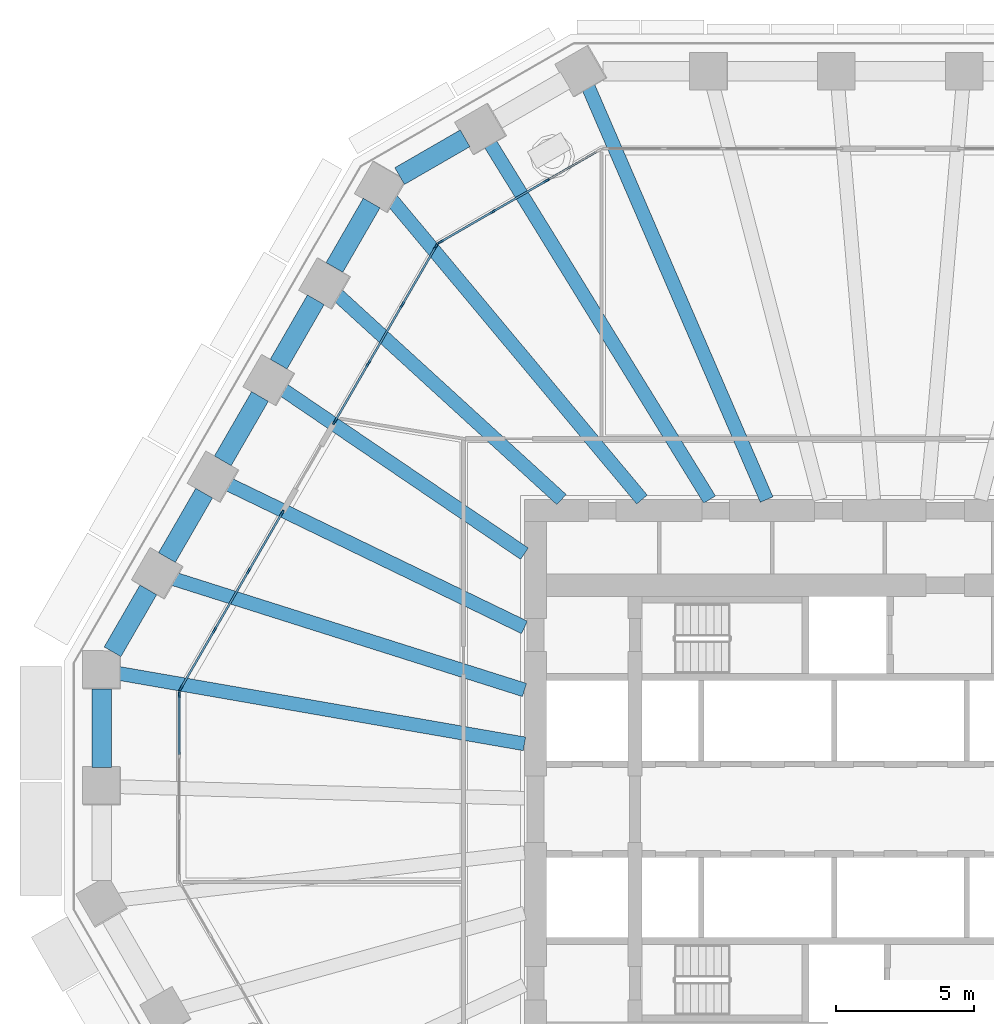
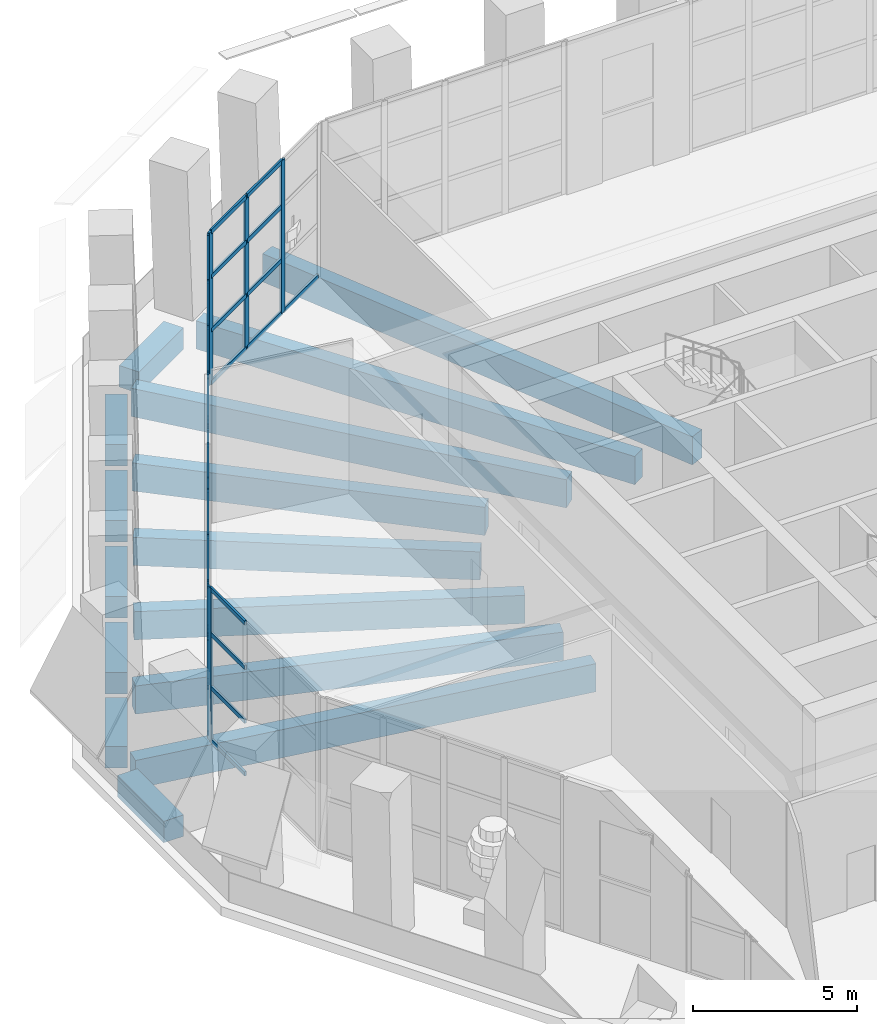
# One storey, part 6 of 22: 49 members, 15 beams, 4 elements without a shape of their own.
"""IFC4 building model written with IfcOpenShell, lengths in metres."""

from ifc_helpers import new_model, si_unit, direction, frame, origin, origin_2d, place, context, subcontext, project, spatial, rectangle, extrude, material, material_profile, profile_set, type_object, element, aggregate, save


model = new_model("IFC4")

# Units and contexts
model_context = context("Model", 3, precision=1e-05, world=origin(), true_north=direction((0.0, 1.0)))
body_context = subcontext(model_context, "Body", "Model", "MODEL_VIEW")
ifc_project = project(units=[si_unit("LENGTHUNIT", "METRE"), si_unit("AREAUNIT", "SQUARE_METRE"), si_unit("VOLUMEUNIT", "CUBIC_METRE"), si_unit("PLANEANGLEUNIT", "RADIAN"), si_unit("MASSUNIT", "GRAM", prefix="KILO")], contexts=[model_context])

# Site, building, storey
site_placement = place(None, origin())
site = spatial("IfcSite", under=ifc_project, at=site_placement, CompositionType="ELEMENT")
building_placement = place(site_placement, origin())
building = spatial("IfcBuilding", under=site, at=building_placement, Name="Frailejon Research Tower", CompositionType="ELEMENT")
storey_placement = place(building_placement, frame((0.0, 0.0, 107.199951171875)))
storey = spatial("IfcBuildingStorey", under=building, at=storey_placement, Name="L23", CompositionType="ELEMENT", Elevation=107.199951171875)

# Beams
ifc_material_1 = material(Name="Concrete C60/75", Category="concrete")
ifc_material_profile_1 = material_profile(ifc_material_1, rectangle(XDim=0.5, YDim=1.050048828125, at=origin_2d()), Name="Girder 500x1050")
ifc_profile_set_1 = profile_set([ifc_material_profile_1], Name="Concrete C60/75")
beam_type_1 = type_object("IfcBeamType", Name="Girder 500x1050", PredefinedType="BEAM", material=ifc_profile_set_1)
beam_1_placement = place(storey_placement, frame((-11.327880859375, 26.2138671875, -0.824951171875), z_axis=(0.396681044263, -0.917956507207, 0.0), x_axis=(0.917956507207, 0.396681044263, 0.0)))
element("IfcBeam", 1, at=beam_1_placement, inside=storey, type_object=beam_type_1, Name="Girder 500x1050", PredefinedType="BEAM", context=body_context, shape_type="SweptSolid", body=[
    extrude(rectangle(XDim=0.5, YDim=1.050048828125, at=origin_2d()), origin(), (0.0, 0.0, 1.0), 16.355712890625),
])
beam_2_placement = place(storey_placement, frame((-14.888916015625, 24.158935546875, -0.824951171875), z_axis=(0.524660165256, -0.851311758989, 0.0), x_axis=(0.851311758989, 0.524660165256, 0.0)))
element("IfcBeam", 2, at=beam_2_placement, inside=storey, type_object=beam_type_1, Name="Girder 500x1050", PredefinedType="BEAM", context=body_context, shape_type="SweptSolid", body=[
    extrude(rectangle(XDim=0.5, YDim=1.050048828125, at=origin_2d()), origin(), (0.0, 0.0, 1.0), 15.222412109375),
])
beam_3_placement = place(storey_placement, frame((-18.42626953125, 22.07568359375, -0.824951171875), z_axis=(0.640799521051, -0.767708260879, 0.0), x_axis=(0.767708260879, 0.640799521051, 0.0)))
element("IfcBeam", 3, at=beam_3_placement, inside=storey, type_object=beam_type_1, Name="Girder 500x1050", PredefinedType="BEAM", context=body_context, shape_type="SweptSolid", body=[
    extrude(rectangle(XDim=0.5, YDim=1.050048828125, at=origin_2d()), origin(), (0.0, 0.0, 1.0), 14.16650390625),
])
beam_4_placement = place(storey_placement, frame((-20.41162109375, 18.6484375, -0.824951171875), z_axis=(0.738268154385, -0.674507325551, 0.0), x_axis=(0.674507325551, 0.738268154385, 0.0)))
element("IfcBeam", 4, at=beam_4_placement, inside=storey, type_object=beam_type_1, Name="Girder 500x1050", PredefinedType="BEAM", context=body_context, shape_type="SweptSolid", body=[
    extrude(rectangle(XDim=0.5, YDim=1.050048828125, at=origin_2d()), origin(), (0.0, 0.0, 1.0), 11.04296875),
])
beam_5_placement = place(storey_placement, frame((-22.3955078125, 15.21826171875, -0.824951171875), z_axis=(0.827104527481, -0.562048130163, 0.0), x_axis=(0.562048130163, 0.827104527481, 0.0)))
element("IfcBeam", 5, at=beam_5_placement, inside=storey, type_object=beam_type_1, Name="Girder 500x1050", PredefinedType="BEAM", context=body_context, shape_type="SweptSolid", body=[
    extrude(rectangle(XDim=0.5, YDim=1.050048828125, at=origin_2d()), origin(), (0.0, 0.0, 1.0), 10.634033203125),
])
beam_6_placement = place(storey_placement, frame((-24.377197265625, 11.785888671875, -0.824951171875), z_axis=(0.900299270462, -0.435271436699, 0.0), x_axis=(0.435271436699, 0.900299270462, 0.0)))
element("IfcBeam", 6, at=beam_6_placement, inside=storey, type_object=beam_type_1, Name="Girder 500x1050", PredefinedType="BEAM", context=body_context, shape_type="SweptSolid", body=[
    extrude(rectangle(XDim=0.5, YDim=1.050048828125, at=origin_2d()), origin(), (0.0, 0.0, 1.0), 11.970458984375),
])
beam_7_placement = place(storey_placement, frame((-26.355712890625, 8.352783203125, -0.824951171875), z_axis=(0.95327332269, -0.302109205832, 0.0), x_axis=(0.302109205832, 0.95327332269, 0.0)))
element("IfcBeam", 7, at=beam_7_placement, inside=storey, type_object=beam_type_1, Name="Girder 500x1050", PredefinedType="BEAM", context=body_context, shape_type="SweptSolid", body=[
    extrude(rectangle(XDim=0.5, YDim=1.050048828125, at=origin_2d()), origin(), (0.0, 0.0, 1.0), 13.380859375),
])
beam_8_placement = place(storey_placement, frame((-28.364501953125, 4.925537109375, -0.824951171875), z_axis=(0.98525680015, -0.171081962106, 0.0), x_axis=(0.171081962106, 0.98525680015, 0.0)))
element("IfcBeam", 8, at=beam_8_placement, inside=storey, type_object=beam_type_1, Name="Girder 500x1050", PredefinedType="BEAM", context=body_context, shape_type="SweptSolid", body=[
    extrude(rectangle(XDim=0.5, YDim=1.050048828125, at=origin_2d()), origin(), (0.0, 0.0, 1.0), 14.9853515625),
])

# Curtain wall, members
ifc_material_2 = material(Name="Aluminium curtain wall", Category="aluminium")
curtain_wall_type = type_object("IfcCurtainWallType", Name="Sky lobby curtain wall system", PredefinedType="NOTDEFINED", material=ifc_material_2)
curtain_wall_1_placement = place(storey_placement, origin())
curtain_wall_1 = element("IfcCurtainWall", 9, at=curtain_wall_1_placement, inside=storey, type_object=curtain_wall_type, Name="Curtain wall L23", PredefinedType="NOTDEFINED")
ifc_material_3 = material(Name="Aluminium extrusion", Category="aluminium")
ifc_material_profile_2 = material_profile(ifc_material_3, rectangle(XDim=0.070068359375, YDim=0.219970703125, at=origin_2d()), Name="Sky lobby curtain wall mullion 70x220")
ifc_profile_set_2 = profile_set([ifc_material_profile_2], Name="Aluminium extrusion")
member_type_1 = type_object("IfcMemberType", Name="Sky lobby curtain wall mullion 70x220", PredefinedType="MULLION", material=ifc_profile_set_2)
member_1_placement = place(storey_placement, frame((-12.801025390625, 22.737548828125, 0.0), z_axis=(0.0, 0.0, 1.0), x_axis=(0.499998258782, -0.866026409075, 0.0)))
member_1 = element("IfcMember", 10, at=member_1_placement, type_object=member_type_1, Name="CW4-087 mullion 2", PredefinedType="MULLION", context=body_context, shape_type="SweptSolid", body=[
    extrude(rectangle(XDim=0.070068359375, YDim=0.219970703125, at=origin_2d()), origin(), (0.0, 0.0, 1.0), 5.699951171875),
])
member_2_placement = place(storey_placement, frame((-14.727783203125, 21.625244140625, 0.0), z_axis=(0.0, 0.0, 1.0), x_axis=(0.499998258782, -0.866026409075, 0.0)))
member_2 = element("IfcMember", 11, at=member_2_placement, type_object=member_type_1, Name="CW4-087 mullion 3", PredefinedType="MULLION", context=body_context, shape_type="SweptSolid", body=[
    extrude(rectangle(XDim=0.070068359375, YDim=0.219970703125, at=origin_2d()), origin(), (0.0, 0.0, 1.0), 5.699951171875),
])
member_3_placement = place(storey_placement, frame((-16.624267578125, 20.5302734375, 0.0), z_axis=(0.0, 0.0, 1.0), x_axis=(0.499998258782, -0.866026409075, 0.0)))
member_3 = element("IfcMember", 12, at=member_3_placement, type_object=member_type_1, Name="CW4-087 mullion 4", PredefinedType="MULLION", context=body_context, shape_type="SweptSolid", body=[
    extrude(rectangle(XDim=0.070068359375, YDim=0.219970703125, at=origin_2d()), origin(), (0.0, 0.0, 1.0), 5.699951171875),
])

curtain_wall_2_placement = place(storey_placement, origin())
curtain_wall_2 = element("IfcCurtainWall", 13, at=curtain_wall_2_placement, inside=storey, type_object=curtain_wall_type, Name="Curtain wall L23", PredefinedType="NOTDEFINED")
member_4_placement = place(storey_placement, frame((-16.80859375, 20.345703125, 0.0), z_axis=(0.0, 0.0, 1.0), x_axis=(0.866028320581, -0.499994947925, 0.0)))
member_4 = element("IfcMember", 14, at=member_4_placement, type_object=member_type_1, Name="CW4-088 mullion 1", PredefinedType="MULLION", context=body_context, shape_type="SweptSolid", body=[
    extrude(rectangle(XDim=0.070068359375, YDim=0.219970703125, at=origin_2d()), origin(), (0.0, 0.0, 1.0), 5.699951171875),
])
member_5_placement = place(storey_placement, frame((-18.021240234375, 18.24560546875, 0.0), z_axis=(0.0, 0.0, 1.0), x_axis=(0.866028320581, -0.499994947925, 0.0)))
member_5 = element("IfcMember", 15, at=member_5_placement, type_object=member_type_1, Name="CW4-088 mullion 2", PredefinedType="MULLION", context=body_context, shape_type="SweptSolid", body=[
    extrude(rectangle(XDim=0.070068359375, YDim=0.219970703125, at=origin_2d()), origin(), (0.0, 0.0, 1.0), 5.699951171875),
])
member_6_placement = place(storey_placement, frame((-19.251220703125, 16.114990234375, 0.0), z_axis=(0.0, 0.0, 1.0), x_axis=(0.866028320581, -0.499994947925, 0.0)))
member_6 = element("IfcMember", 16, at=member_6_placement, type_object=member_type_1, Name="CW4-088 mullion 3", PredefinedType="MULLION", context=body_context, shape_type="SweptSolid", body=[
    extrude(rectangle(XDim=0.070068359375, YDim=0.219970703125, at=origin_2d()), origin(), (0.0, 0.0, 1.0), 5.699951171875),
])
member_7_placement = place(storey_placement, frame((-20.4638671875, 14.0146484375, 0.0), z_axis=(0.0, 0.0, 1.0), x_axis=(0.866028320581, -0.499994947925, 0.0)))
member_7 = element("IfcMember", 17, at=member_7_placement, type_object=member_type_1, Name="CW4-088 mullion 4", PredefinedType="MULLION", context=body_context, shape_type="SweptSolid", body=[
    extrude(rectangle(XDim=0.070068359375, YDim=0.219970703125, at=origin_2d()), origin(), (0.0, 0.0, 1.0), 5.699951171875),
])

curtain_wall_3_placement = place(storey_placement, origin())
curtain_wall_3 = element("IfcCurtainWall", 18, at=curtain_wall_3_placement, inside=storey, type_object=curtain_wall_type, Name="Curtain wall L23", PredefinedType="NOTDEFINED")
member_8_placement = place(storey_placement, frame((-22.369140625, 10.715087890625, 0.0), z_axis=(0.0, 0.0, 1.0), x_axis=(0.866028320581, -0.499994947925, 0.0)))
member_8 = element("IfcMember", 19, at=member_8_placement, type_object=member_type_1, Name="CW4-089 mullion 1", PredefinedType="MULLION", context=body_context, shape_type="SweptSolid", body=[
    extrude(rectangle(XDim=0.070068359375, YDim=0.219970703125, at=origin_2d()), origin(), (0.0, 0.0, 1.0), 5.699951171875),
])
member_9_placement = place(storey_placement, frame((-23.581787109375, 8.61474609375, 0.0), z_axis=(0.0, 0.0, 1.0), x_axis=(0.866028320581, -0.499994947925, 0.0)))
member_9 = element("IfcMember", 20, at=member_9_placement, type_object=member_type_1, Name="CW4-089 mullion 2", PredefinedType="MULLION", context=body_context, shape_type="SweptSolid", body=[
    extrude(rectangle(XDim=0.070068359375, YDim=0.219970703125, at=origin_2d()), origin(), (0.0, 0.0, 1.0), 5.699951171875),
])
member_10_placement = place(storey_placement, frame((-24.811767578125, 6.484130859375, 0.0), z_axis=(0.0, 0.0, 1.0), x_axis=(0.866028320581, -0.499994947925, 0.0)))
member_10 = element("IfcMember", 21, at=member_10_placement, type_object=member_type_1, Name="CW4-089 mullion 3", PredefinedType="MULLION", context=body_context, shape_type="SweptSolid", body=[
    extrude(rectangle(XDim=0.070068359375, YDim=0.219970703125, at=origin_2d()), origin(), (0.0, 0.0, 1.0), 5.699951171875),
])
member_11_placement = place(storey_placement, frame((-26.0244140625, 4.3837890625, 0.0), z_axis=(0.0, 0.0, 1.0), x_axis=(0.866028320581, -0.499994947925, 0.0)))
member_11 = element("IfcMember", 22, at=member_11_placement, type_object=member_type_1, Name="CW4-089 mullion 4", PredefinedType="MULLION", context=body_context, shape_type="SweptSolid", body=[
    extrude(rectangle(XDim=0.070068359375, YDim=0.219970703125, at=origin_2d()), origin(), (0.0, 0.0, 1.0), 5.699951171875),
])

# Curtain wall, member
curtain_wall_4_placement = place(storey_placement, origin())
curtain_wall_4 = element("IfcCurtainWall", 23, at=curtain_wall_4_placement, inside=storey, type_object=curtain_wall_type, Name="Curtain wall L23", PredefinedType="NOTDEFINED")
member_12_placement = place(storey_placement, frame((-26.091796875, 4.132080078125, 0.0), z_axis=(0.0, 0.0, 1.0), x_axis=(1.0, 0.0, 0.0)))
member_12 = element("IfcMember", 24, at=member_12_placement, type_object=member_type_1, Name="CW4-090 mullion 1", PredefinedType="MULLION", context=body_context, shape_type="SweptSolid", body=[
    extrude(rectangle(XDim=0.070068359375, YDim=0.219970703125, at=origin_2d()), origin(), (0.0, 0.0, 1.0), 5.699951171875),
])

# Member
ifc_material_4 = material(Name="Aluminium extrusion", Category="aluminium")
ifc_material_profile_3 = material_profile(ifc_material_4, rectangle(XDim=0.070068359375, YDim=0.159912109375, at=origin_2d()), Name="Sky lobby curtain wall transom 70x160")
ifc_profile_set_3 = profile_set([ifc_material_profile_3], Name="Aluminium extrusion")
member_type_2 = type_object("IfcMemberType", Name="Sky lobby curtain wall transom 70x160", PredefinedType="USERDEFINED", material=ifc_profile_set_3)
member_13_placement = place(storey_placement, frame((-10.934814453125, 23.81494140625, 0.03515625), z_axis=(-0.866059014716, -0.499941779639, 0.0), x_axis=(0.499941779639, -0.866059014716, 0.0)))
member_13 = element("IfcMember", 25, at=member_13_placement, type_object=member_type_2, Name="CW4-087 transom 1.1", ObjectType="TRANSOM", PredefinedType="USERDEFINED", context=body_context, shape_type="SweptSolid", body=[
    extrude(rectangle(XDim=0.070068359375, YDim=0.159912109375, at=origin_2d()), origin(), (0.0, 0.0, 1.0), 2.119873046875),
])

member_14_placement = place(storey_placement, frame((-12.831298828125, 22.719970703125, 0.03515625), z_axis=(-0.866038426532, -0.499977443261, 0.0), x_axis=(0.499977443261, -0.866038426532, 0.0)))
member_14 = element("IfcMember", 26, at=member_14_placement, type_object=member_type_2, Name="CW4-087 transom 2.1", ObjectType="TRANSOM", PredefinedType="USERDEFINED", context=body_context, shape_type="SweptSolid", body=[
    extrude(rectangle(XDim=0.070068359375, YDim=0.159912109375, at=origin_2d()), origin(), (0.0, 0.0, 1.0), 2.15478515625),
])

member_15_placement = place(storey_placement, frame((-12.831298828125, 22.719970703125, 2.0), z_axis=(-0.866038426532, -0.499977443261, 0.0), x_axis=(0.499977443261, -0.866038426532, 0.0)))
member_15 = element("IfcMember", 27, at=member_15_placement, type_object=member_type_2, Name="CW4-087 transom 2.2", ObjectType="TRANSOM", PredefinedType="USERDEFINED", context=body_context, shape_type="SweptSolid", body=[
    extrude(rectangle(XDim=0.070068359375, YDim=0.159912109375, at=origin_2d()), origin(), (0.0, 0.0, 1.0), 2.15478515625),
])

member_16_placement = place(storey_placement, frame((-12.831298828125, 22.719970703125, 4.0), z_axis=(-0.866038426532, -0.499977443261, 0.0), x_axis=(0.499977443261, -0.866038426532, 0.0)))
member_16 = element("IfcMember", 28, at=member_16_placement, type_object=member_type_2, Name="CW4-087 transom 2.3", ObjectType="TRANSOM", PredefinedType="USERDEFINED", context=body_context, shape_type="SweptSolid", body=[
    extrude(rectangle(XDim=0.070068359375, YDim=0.159912109375, at=origin_2d()), origin(), (0.0, 0.0, 1.0), 2.15478515625),
])

member_17_placement = place(storey_placement, frame((-12.831298828125, 22.719970703125, 5.6650390625), z_axis=(-0.866038426532, -0.499977443261, 0.0), x_axis=(0.499977443261, -0.866038426532, 0.0)))
member_17 = element("IfcMember", 29, at=member_17_placement, type_object=member_type_2, Name="CW4-087 transom 2.4", ObjectType="TRANSOM", PredefinedType="USERDEFINED", context=body_context, shape_type="SweptSolid", body=[
    extrude(rectangle(XDim=0.070068359375, YDim=0.159912109375, at=origin_2d()), origin(), (0.0, 0.0, 1.0), 2.15478515625),
])

member_18_placement = place(storey_placement, frame((-14.758056640625, 21.607666015625, 0.03515625), z_axis=(-0.866009148195, -0.50002815445, 0.0), x_axis=(0.50002815445, -0.866009148195, 0.0)))
member_18 = element("IfcMember", 30, at=member_18_placement, type_object=member_type_2, Name="CW4-087 transom 3.1", ObjectType="TRANSOM", PredefinedType="USERDEFINED", context=body_context, shape_type="SweptSolid", body=[
    extrude(rectangle(XDim=0.070068359375, YDim=0.159912109375, at=origin_2d()), origin(), (0.0, 0.0, 1.0), 2.1201171875),
])

member_19_placement = place(storey_placement, frame((-14.758056640625, 21.607666015625, 2.0), z_axis=(-0.866009148195, -0.50002815445, 0.0), x_axis=(0.50002815445, -0.866009148195, 0.0)))
member_19 = element("IfcMember", 31, at=member_19_placement, type_object=member_type_2, Name="CW4-087 transom 3.2", ObjectType="TRANSOM", PredefinedType="USERDEFINED", context=body_context, shape_type="SweptSolid", body=[
    extrude(rectangle(XDim=0.070068359375, YDim=0.159912109375, at=origin_2d()), origin(), (0.0, 0.0, 1.0), 2.1201171875),
])

member_20_placement = place(storey_placement, frame((-14.758056640625, 21.607666015625, 4.0), z_axis=(-0.866009148195, -0.50002815445, 0.0), x_axis=(0.50002815445, -0.866009148195, 0.0)))
member_20 = element("IfcMember", 32, at=member_20_placement, type_object=member_type_2, Name="CW4-087 transom 3.3", ObjectType="TRANSOM", PredefinedType="USERDEFINED", context=body_context, shape_type="SweptSolid", body=[
    extrude(rectangle(XDim=0.070068359375, YDim=0.159912109375, at=origin_2d()), origin(), (0.0, 0.0, 1.0), 2.1201171875),
])

member_21_placement = place(storey_placement, frame((-14.758056640625, 21.607666015625, 5.6650390625), z_axis=(-0.866009148195, -0.50002815445, 0.0), x_axis=(0.50002815445, -0.866009148195, 0.0)))
member_21 = element("IfcMember", 33, at=member_21_placement, type_object=member_type_2, Name="CW4-087 transom 3.4", ObjectType="TRANSOM", PredefinedType="USERDEFINED", context=body_context, shape_type="SweptSolid", body=[
    extrude(rectangle(XDim=0.070068359375, YDim=0.159912109375, at=origin_2d()), origin(), (0.0, 0.0, 1.0), 2.1201171875),
])

aggregate(curtain_wall_1, [member_1, member_2, member_3, member_13, member_14, member_15, member_16, member_17, member_18, member_19, member_20, member_21])

member_22_placement = place(storey_placement, frame((-16.826171875, 20.3154296875, 0.03515625), z_axis=(-0.499985682323, -0.866033669941, 0.0), x_axis=(0.866033669941, -0.499985682323, 0.0)))
member_22 = element("IfcMember", 34, at=member_22_placement, type_object=member_type_2, Name="CW4-088 transom 1.1", ObjectType="TRANSOM", PredefinedType="USERDEFINED", context=body_context, shape_type="SweptSolid", body=[
    extrude(rectangle(XDim=0.070068359375, YDim=0.159912109375, at=origin_2d()), origin(), (0.0, 0.0, 1.0), 2.35498046875),
])

member_23_placement = place(storey_placement, frame((-16.826171875, 20.3154296875, 2.0), z_axis=(-0.499985682323, -0.866033669941, 0.0), x_axis=(0.866033669941, -0.499985682323, 0.0)))
member_23 = element("IfcMember", 35, at=member_23_placement, type_object=member_type_2, Name="CW4-088 transom 1.2", ObjectType="TRANSOM", PredefinedType="USERDEFINED", context=body_context, shape_type="SweptSolid", body=[
    extrude(rectangle(XDim=0.070068359375, YDim=0.159912109375, at=origin_2d()), origin(), (0.0, 0.0, 1.0), 2.35498046875),
])

member_24_placement = place(storey_placement, frame((-16.826171875, 20.3154296875, 4.0), z_axis=(-0.499985682323, -0.866033669941, 0.0), x_axis=(0.866033669941, -0.499985682323, 0.0)))
member_24 = element("IfcMember", 36, at=member_24_placement, type_object=member_type_2, Name="CW4-088 transom 1.3", ObjectType="TRANSOM", PredefinedType="USERDEFINED", context=body_context, shape_type="SweptSolid", body=[
    extrude(rectangle(XDim=0.070068359375, YDim=0.159912109375, at=origin_2d()), origin(), (0.0, 0.0, 1.0), 2.35498046875),
])

member_25_placement = place(storey_placement, frame((-16.826171875, 20.3154296875, 5.6650390625), z_axis=(-0.499985682323, -0.866033669941, 0.0), x_axis=(0.866033669941, -0.499985682323, 0.0)))
member_25 = element("IfcMember", 37, at=member_25_placement, type_object=member_type_2, Name="CW4-088 transom 1.4", ObjectType="TRANSOM", PredefinedType="USERDEFINED", context=body_context, shape_type="SweptSolid", body=[
    extrude(rectangle(XDim=0.070068359375, YDim=0.159912109375, at=origin_2d()), origin(), (0.0, 0.0, 1.0), 2.35498046875),
])

member_26_placement = place(storey_placement, frame((-18.038818359375, 18.21533203125, 0.03515625), z_axis=(-0.499972963492, -0.866041012757, 0.0), x_axis=(0.866041012757, -0.499972963492, 0.0)))
member_26 = element("IfcMember", 38, at=member_26_placement, type_object=member_type_2, Name="CW4-088 transom 2.1", ObjectType="TRANSOM", PredefinedType="USERDEFINED", context=body_context, shape_type="SweptSolid", body=[
    extrude(rectangle(XDim=0.070068359375, YDim=0.159912109375, at=origin_2d()), origin(), (0.0, 0.0, 1.0), 2.390380859375),
])

member_27_placement = place(storey_placement, frame((-18.038818359375, 18.21533203125, 2.0), z_axis=(-0.499972963492, -0.866041012757, 0.0), x_axis=(0.866041012757, -0.499972963492, 0.0)))
member_27 = element("IfcMember", 39, at=member_27_placement, type_object=member_type_2, Name="CW4-088 transom 2.2", ObjectType="TRANSOM", PredefinedType="USERDEFINED", context=body_context, shape_type="SweptSolid", body=[
    extrude(rectangle(XDim=0.070068359375, YDim=0.159912109375, at=origin_2d()), origin(), (0.0, 0.0, 1.0), 2.390380859375),
])

member_28_placement = place(storey_placement, frame((-18.038818359375, 18.21533203125, 4.0), z_axis=(-0.499972963492, -0.866041012757, 0.0), x_axis=(0.866041012757, -0.499972963492, 0.0)))
member_28 = element("IfcMember", 40, at=member_28_placement, type_object=member_type_2, Name="CW4-088 transom 2.3", ObjectType="TRANSOM", PredefinedType="USERDEFINED", context=body_context, shape_type="SweptSolid", body=[
    extrude(rectangle(XDim=0.070068359375, YDim=0.159912109375, at=origin_2d()), origin(), (0.0, 0.0, 1.0), 2.390380859375),
])

member_29_placement = place(storey_placement, frame((-18.038818359375, 18.21533203125, 5.6650390625), z_axis=(-0.499972963492, -0.866041012757, 0.0), x_axis=(0.866041012757, -0.499972963492, 0.0)))
member_29 = element("IfcMember", 41, at=member_29_placement, type_object=member_type_2, Name="CW4-088 transom 2.4", ObjectType="TRANSOM", PredefinedType="USERDEFINED", context=body_context, shape_type="SweptSolid", body=[
    extrude(rectangle(XDim=0.070068359375, YDim=0.159912109375, at=origin_2d()), origin(), (0.0, 0.0, 1.0), 2.390380859375),
])

member_30_placement = place(storey_placement, frame((-19.268798828125, 16.084716796875, 0.03515625), z_axis=(-0.499940797434, -0.866059581704, 0.0), x_axis=(0.866059581704, -0.499940797434, 0.0)))
member_30 = element("IfcMember", 42, at=member_30_placement, type_object=member_type_2, Name="CW4-088 transom 3.1", ObjectType="TRANSOM", PredefinedType="USERDEFINED", context=body_context, shape_type="SweptSolid", body=[
    extrude(rectangle(XDim=0.070068359375, YDim=0.159912109375, at=origin_2d()), origin(), (0.0, 0.0, 1.0), 2.355224609375),
])

member_31_placement = place(storey_placement, frame((-19.268798828125, 16.084716796875, 2.0), z_axis=(-0.499940797434, -0.866059581704, 0.0), x_axis=(0.866059581704, -0.499940797434, 0.0)))
member_31 = element("IfcMember", 43, at=member_31_placement, type_object=member_type_2, Name="CW4-088 transom 3.2", ObjectType="TRANSOM", PredefinedType="USERDEFINED", context=body_context, shape_type="SweptSolid", body=[
    extrude(rectangle(XDim=0.070068359375, YDim=0.159912109375, at=origin_2d()), origin(), (0.0, 0.0, 1.0), 2.355224609375),
])

member_32_placement = place(storey_placement, frame((-19.268798828125, 16.084716796875, 4.0), z_axis=(-0.499940797434, -0.866059581704, 0.0), x_axis=(0.866059581704, -0.499940797434, 0.0)))
member_32 = element("IfcMember", 44, at=member_32_placement, type_object=member_type_2, Name="CW4-088 transom 3.3", ObjectType="TRANSOM", PredefinedType="USERDEFINED", context=body_context, shape_type="SweptSolid", body=[
    extrude(rectangle(XDim=0.070068359375, YDim=0.159912109375, at=origin_2d()), origin(), (0.0, 0.0, 1.0), 2.355224609375),
])

member_33_placement = place(storey_placement, frame((-19.268798828125, 16.084716796875, 5.6650390625), z_axis=(-0.499940797434, -0.866059581704, 0.0), x_axis=(0.866059581704, -0.499940797434, 0.0)))
member_33 = element("IfcMember", 45, at=member_33_placement, type_object=member_type_2, Name="CW4-088 transom 3.4", ObjectType="TRANSOM", PredefinedType="USERDEFINED", context=body_context, shape_type="SweptSolid", body=[
    extrude(rectangle(XDim=0.070068359375, YDim=0.159912109375, at=origin_2d()), origin(), (0.0, 0.0, 1.0), 2.355224609375),
])

aggregate(curtain_wall_2, [member_4, member_5, member_6, member_7, member_22, member_23, member_24, member_25, member_26, member_27, member_28, member_29, member_30, member_31, member_32, member_33])

member_34_placement = place(storey_placement, frame((-22.38671875, 10.6845703125, 0.03515625), z_axis=(-0.499985682323, -0.866033669941, 0.0), x_axis=(0.866033669941, -0.499985682323, 0.0)))
member_34 = element("IfcMember", 46, at=member_34_placement, type_object=member_type_2, Name="CW4-089 transom 1.1", ObjectType="TRANSOM", PredefinedType="USERDEFINED", context=body_context, shape_type="SweptSolid", body=[
    extrude(rectangle(XDim=0.070068359375, YDim=0.159912109375, at=origin_2d()), origin(), (0.0, 0.0, 1.0), 2.35498046875),
])

member_35_placement = place(storey_placement, frame((-22.38671875, 10.6845703125, 2.0), z_axis=(-0.499985682323, -0.866033669941, 0.0), x_axis=(0.866033669941, -0.499985682323, 0.0)))
member_35 = element("IfcMember", 47, at=member_35_placement, type_object=member_type_2, Name="CW4-089 transom 1.2", ObjectType="TRANSOM", PredefinedType="USERDEFINED", context=body_context, shape_type="SweptSolid", body=[
    extrude(rectangle(XDim=0.070068359375, YDim=0.159912109375, at=origin_2d()), origin(), (0.0, 0.0, 1.0), 2.35498046875),
])

member_36_placement = place(storey_placement, frame((-22.38671875, 10.6845703125, 4.0), z_axis=(-0.499985682323, -0.866033669941, 0.0), x_axis=(0.866033669941, -0.499985682323, 0.0)))
member_36 = element("IfcMember", 48, at=member_36_placement, type_object=member_type_2, Name="CW4-089 transom 1.3", ObjectType="TRANSOM", PredefinedType="USERDEFINED", context=body_context, shape_type="SweptSolid", body=[
    extrude(rectangle(XDim=0.070068359375, YDim=0.159912109375, at=origin_2d()), origin(), (0.0, 0.0, 1.0), 2.35498046875),
])

member_37_placement = place(storey_placement, frame((-22.38671875, 10.6845703125, 5.6650390625), z_axis=(-0.499985682323, -0.866033669941, 0.0), x_axis=(0.866033669941, -0.499985682323, 0.0)))
member_37 = element("IfcMember", 49, at=member_37_placement, type_object=member_type_2, Name="CW4-089 transom 1.4", ObjectType="TRANSOM", PredefinedType="USERDEFINED", context=body_context, shape_type="SweptSolid", body=[
    extrude(rectangle(XDim=0.070068359375, YDim=0.159912109375, at=origin_2d()), origin(), (0.0, 0.0, 1.0), 2.35498046875),
])

member_38_placement = place(storey_placement, frame((-23.59912109375, 8.58447265625, 0.03515625), z_axis=(-0.499972963492, -0.866041012757, 0.0), x_axis=(0.866041012757, -0.499972963492, 0.0)))
member_38 = element("IfcMember", 50, at=member_38_placement, type_object=member_type_2, Name="CW4-089 transom 2.1", ObjectType="TRANSOM", PredefinedType="USERDEFINED", context=body_context, shape_type="SweptSolid", body=[
    extrude(rectangle(XDim=0.070068359375, YDim=0.159912109375, at=origin_2d()), origin(), (0.0, 0.0, 1.0), 2.390380859375),
])

member_39_placement = place(storey_placement, frame((-23.59912109375, 8.58447265625, 2.0), z_axis=(-0.499972963492, -0.866041012757, 0.0), x_axis=(0.866041012757, -0.499972963492, 0.0)))
member_39 = element("IfcMember", 51, at=member_39_placement, type_object=member_type_2, Name="CW4-089 transom 2.2", ObjectType="TRANSOM", PredefinedType="USERDEFINED", context=body_context, shape_type="SweptSolid", body=[
    extrude(rectangle(XDim=0.070068359375, YDim=0.159912109375, at=origin_2d()), origin(), (0.0, 0.0, 1.0), 2.390380859375),
])

member_40_placement = place(storey_placement, frame((-23.59912109375, 8.58447265625, 4.0), z_axis=(-0.499972963492, -0.866041012757, 0.0), x_axis=(0.866041012757, -0.499972963492, 0.0)))
member_40 = element("IfcMember", 52, at=member_40_placement, type_object=member_type_2, Name="CW4-089 transom 2.3", ObjectType="TRANSOM", PredefinedType="USERDEFINED", context=body_context, shape_type="SweptSolid", body=[
    extrude(rectangle(XDim=0.070068359375, YDim=0.159912109375, at=origin_2d()), origin(), (0.0, 0.0, 1.0), 2.390380859375),
])

member_41_placement = place(storey_placement, frame((-23.59912109375, 8.58447265625, 5.6650390625), z_axis=(-0.499972963492, -0.866041012757, 0.0), x_axis=(0.866041012757, -0.499972963492, 0.0)))
member_41 = element("IfcMember", 53, at=member_41_placement, type_object=member_type_2, Name="CW4-089 transom 2.4", ObjectType="TRANSOM", PredefinedType="USERDEFINED", context=body_context, shape_type="SweptSolid", body=[
    extrude(rectangle(XDim=0.070068359375, YDim=0.159912109375, at=origin_2d()), origin(), (0.0, 0.0, 1.0), 2.390380859375),
])

member_42_placement = place(storey_placement, frame((-24.829345703125, 6.453857421875, 0.03515625), z_axis=(-0.499985682323, -0.866033669941, 0.0), x_axis=(0.866033669941, -0.499985682323, 0.0)))
member_42 = element("IfcMember", 54, at=member_42_placement, type_object=member_type_2, Name="CW4-089 transom 3.1", ObjectType="TRANSOM", PredefinedType="USERDEFINED", context=body_context, shape_type="SweptSolid", body=[
    extrude(rectangle(XDim=0.070068359375, YDim=0.159912109375, at=origin_2d()), origin(), (0.0, 0.0, 1.0), 2.35498046875),
])

member_43_placement = place(storey_placement, frame((-24.829345703125, 6.453857421875, 2.0), z_axis=(-0.499985682323, -0.866033669941, 0.0), x_axis=(0.866033669941, -0.499985682323, 0.0)))
member_43 = element("IfcMember", 55, at=member_43_placement, type_object=member_type_2, Name="CW4-089 transom 3.2", ObjectType="TRANSOM", PredefinedType="USERDEFINED", context=body_context, shape_type="SweptSolid", body=[
    extrude(rectangle(XDim=0.070068359375, YDim=0.159912109375, at=origin_2d()), origin(), (0.0, 0.0, 1.0), 2.35498046875),
])

member_44_placement = place(storey_placement, frame((-24.829345703125, 6.453857421875, 4.0), z_axis=(-0.499985682323, -0.866033669941, 0.0), x_axis=(0.866033669941, -0.499985682323, 0.0)))
member_44 = element("IfcMember", 56, at=member_44_placement, type_object=member_type_2, Name="CW4-089 transom 3.3", ObjectType="TRANSOM", PredefinedType="USERDEFINED", context=body_context, shape_type="SweptSolid", body=[
    extrude(rectangle(XDim=0.070068359375, YDim=0.159912109375, at=origin_2d()), origin(), (0.0, 0.0, 1.0), 2.35498046875),
])

member_45_placement = place(storey_placement, frame((-24.829345703125, 6.453857421875, 5.6650390625), z_axis=(-0.499985682323, -0.866033669941, 0.0), x_axis=(0.866033669941, -0.499985682323, 0.0)))
member_45 = element("IfcMember", 57, at=member_45_placement, type_object=member_type_2, Name="CW4-089 transom 3.4", ObjectType="TRANSOM", PredefinedType="USERDEFINED", context=body_context, shape_type="SweptSolid", body=[
    extrude(rectangle(XDim=0.070068359375, YDim=0.159912109375, at=origin_2d()), origin(), (0.0, 0.0, 1.0), 2.35498046875),
])

aggregate(curtain_wall_3, [member_8, member_9, member_10, member_11, member_34, member_35, member_36, member_37, member_38, member_39, member_40, member_41, member_42, member_43, member_44, member_45])

member_46_placement = place(storey_placement, frame((-26.091796875, 4.096923828125, 0.03515625), z_axis=(0.0, -1.0, 0.0), x_axis=(1.0, 0.0, 0.0)))
member_46 = element("IfcMember", 58, at=member_46_placement, type_object=member_type_2, Name="CW4-090 transom 1.1", ObjectType="TRANSOM", PredefinedType="USERDEFINED", context=body_context, shape_type="SweptSolid", body=[
    extrude(rectangle(XDim=0.070068359375, YDim=0.159912109375, at=origin_2d()), origin(), (0.0, 0.0, 1.0), 2.119873046875),
])

member_47_placement = place(storey_placement, frame((-26.091796875, 4.096923828125, 2.0), z_axis=(0.0, -1.0, 0.0), x_axis=(1.0, 0.0, 0.0)))
member_47 = element("IfcMember", 59, at=member_47_placement, type_object=member_type_2, Name="CW4-090 transom 1.2", ObjectType="TRANSOM", PredefinedType="USERDEFINED", context=body_context, shape_type="SweptSolid", body=[
    extrude(rectangle(XDim=0.070068359375, YDim=0.159912109375, at=origin_2d()), origin(), (0.0, 0.0, 1.0), 2.119873046875),
])

member_48_placement = place(storey_placement, frame((-26.091796875, 4.096923828125, 4.0), z_axis=(0.0, -1.0, 0.0), x_axis=(1.0, 0.0, 0.0)))
member_48 = element("IfcMember", 60, at=member_48_placement, type_object=member_type_2, Name="CW4-090 transom 1.3", ObjectType="TRANSOM", PredefinedType="USERDEFINED", context=body_context, shape_type="SweptSolid", body=[
    extrude(rectangle(XDim=0.070068359375, YDim=0.159912109375, at=origin_2d()), origin(), (0.0, 0.0, 1.0), 2.119873046875),
])

member_49_placement = place(storey_placement, frame((-26.091796875, 4.096923828125, 5.6650390625), z_axis=(0.0, -1.0, 0.0), x_axis=(1.0, 0.0, 0.0)))
member_49 = element("IfcMember", 61, at=member_49_placement, type_object=member_type_2, Name="CW4-090 transom 1.4", ObjectType="TRANSOM", PredefinedType="USERDEFINED", context=body_context, shape_type="SweptSolid", body=[
    extrude(rectangle(XDim=0.070068359375, YDim=0.159912109375, at=origin_2d()), origin(), (0.0, 0.0, 1.0), 2.119873046875),
])

aggregate(curtain_wall_4, [member_12, member_46, member_47, member_48, member_49])

# Beams
ifc_material_5 = material(Name="Concrete C60/75", Category="concrete")
ifc_material_profile_4 = material_profile(ifc_material_5, rectangle(XDim=0.699951171875, YDim=0.800048828125, at=origin_2d()), Name="Spandrel 700x800")
ifc_profile_set_4 = profile_set([ifc_material_profile_4], Name="Concrete C60/75")
beam_type_2 = type_object("IfcBeamType", Name="Spandrel 700x800", PredefinedType="BEAM", material=ifc_profile_set_4)
beam_9_placement = place(storey_placement, frame((-15.7490234375, 24.268798828125, -0.75), z_axis=(-0.866002615699, -0.500039468044, 0.0), x_axis=(0.500039468044, -0.866002615699, 0.0)))
element("IfcBeam", 62, at=beam_9_placement, inside=storey, type_object=beam_type_2, Name="Spandrel 700x800", PredefinedType="BEAM", context=body_context, shape_type="SweptSolid", body=[
    extrude(rectangle(XDim=0.699951171875, YDim=0.800048828125, at=origin_2d()), origin(), (0.0, 0.0, 1.0), 2.733154296875),
])
for number, where, z_axis, x_axis, name in (
    (63, (-19.12841796875, 21.927734375, -0.75), (-0.500023574959, -0.866011792348, 0.0), (0.866011792348, -0.500023574959, 0.0), "Spandrel 700x800"),
    (64, (-21.148681640625, 18.4287109375, -0.75), (-0.500023574959, -0.866011792348, 0.0), (0.866011792348, -0.500023574959, 0.0), "Spandrel 700x800"),
    (65, (-23.168701171875, 14.9296875, -0.75), (-0.500023574959, -0.866011792348, 0.0), (0.866011792348, -0.500023574959, 0.0), "Spandrel 700x800"),
    (66, (-25.18896484375, 11.4306640625, -0.75), (-0.500023574959, -0.866011792348, 0.0), (0.866011792348, -0.500023574959, 0.0), "Spandrel 700x800"),
):
    element("IfcBeam", number, at=place(storey_placement, frame(where, z_axis=z_axis, x_axis=x_axis)), inside=storey, type_object=beam_type_2, Name=name, PredefinedType="BEAM", context=body_context, shape_type="SweptSolid", body=[
        extrude(rectangle(XDim=0.699951171875, YDim=0.800048828125, at=origin_2d()), origin(), (0.0, 0.0, 1.0), 2.690185546875),
    ])
beam_10_placement = place(storey_placement, frame((-27.208984375, 7.931640625, -0.75), z_axis=(-0.500068394197, -0.865985912775, 0.0), x_axis=(0.865985912775, -0.500068394197, 0.0)))
element("IfcBeam", 67, at=beam_10_placement, inside=storey, type_object=beam_type_2, Name="Spandrel 700x800", PredefinedType="BEAM", context=body_context, shape_type="SweptSolid", body=[
    extrude(rectangle(XDim=0.699951171875, YDim=0.800048828125, at=origin_2d()), origin(), (0.0, 0.0, 1.0), 2.586181640625),
])
beam_11_placement = place(storey_placement, frame((-28.891845703125, 4.34228515625, -0.75), z_axis=(0.0, -1.0, 0.0), x_axis=(1.0, 0.0, 0.0)))
element("IfcBeam", 68, at=beam_11_placement, inside=storey, type_object=beam_type_2, Name="Spandrel 700x800", PredefinedType="BEAM", context=body_context, shape_type="SweptSolid", body=[
    extrude(rectangle(XDim=0.699951171875, YDim=0.800048828125, at=origin_2d()), origin(), (0.0, 0.0, 1.0), 2.837646484375),
])

save(model, "model.ifc")
